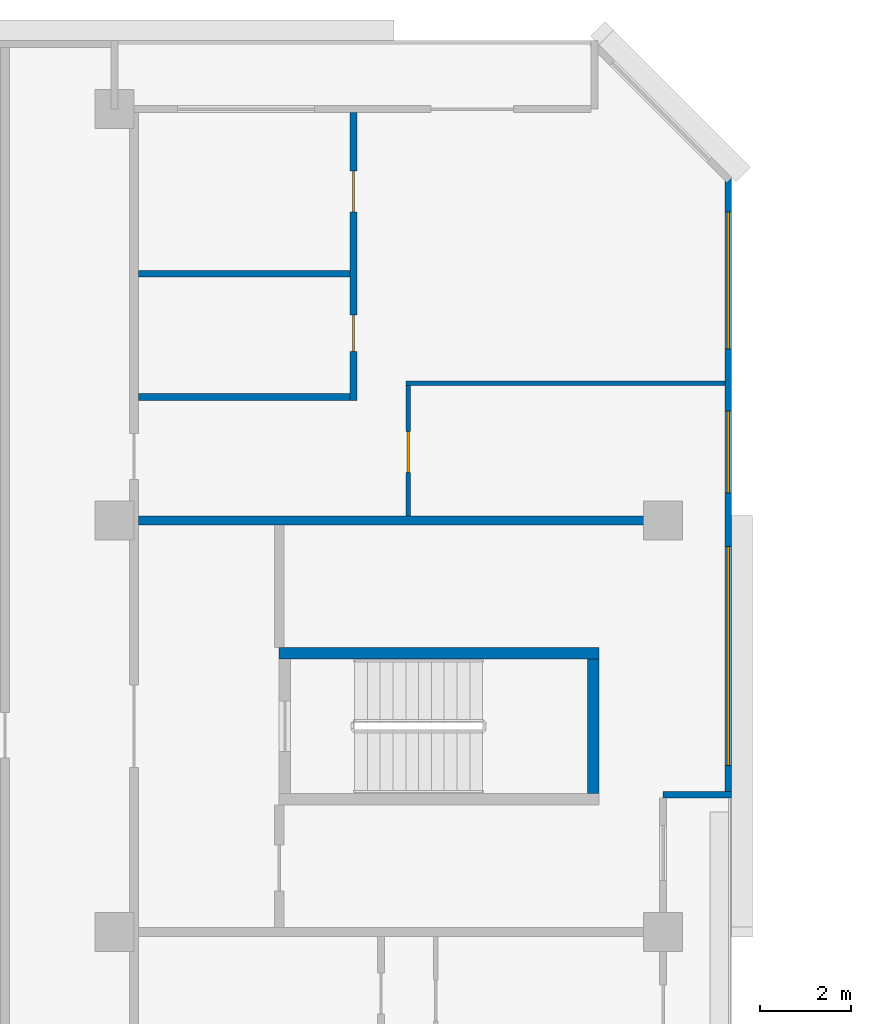
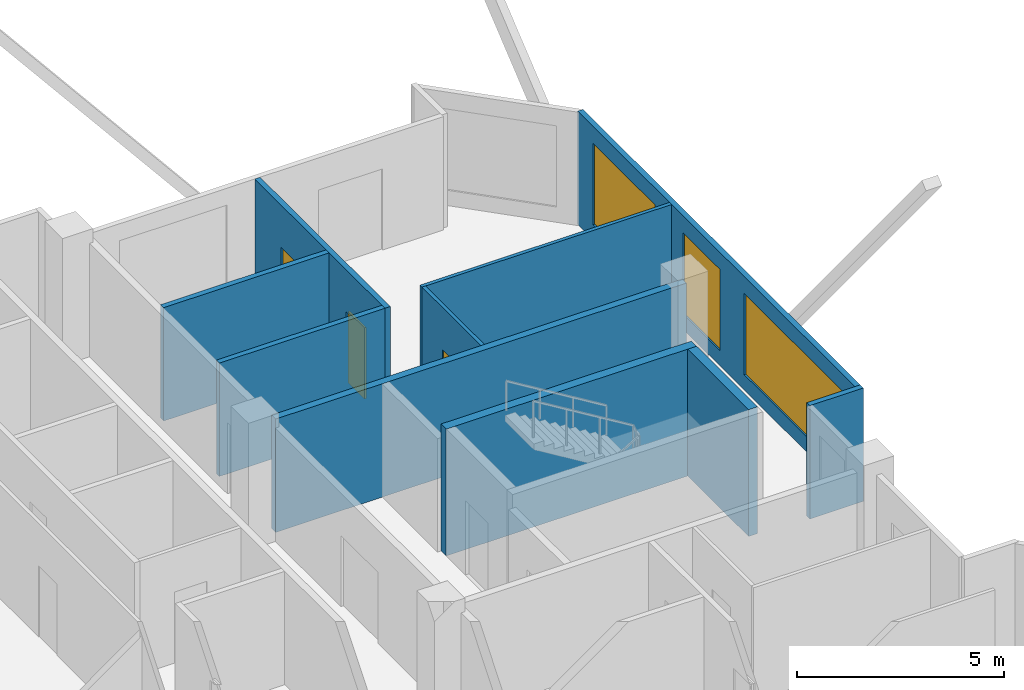
# One storey, part 11 of 15: 10 walls, 3 doors, 3 windows, 6 openings.
"""IFC4 building model written with IfcOpenShell, lengths in metres."""

from ifc_helpers import new_model, si_unit, direction, frame, frame_2d, origin, place, context, subcontext, project, spatial, rectangle, extrude, material, layer, layer_set, type_object, element, fill, save


model = new_model("IFC4")

# Units and contexts
model_context = context("Model", 3, precision=1e-05, world=origin(), true_north=direction((0.0, 1.0)))
body_context = subcontext(model_context, "Body", "Model", "MODEL_VIEW")
ifc_project = project(units=[si_unit("LENGTHUNIT", "METRE"), si_unit("AREAUNIT", "SQUARE_METRE"), si_unit("VOLUMEUNIT", "CUBIC_METRE"), si_unit("PLANEANGLEUNIT", "RADIAN"), si_unit("MASSUNIT", "GRAM", prefix="KILO")], contexts=[model_context])

# Site, building, storey
site_placement = place(None, origin())
site = spatial("IfcSite", under=ifc_project, at=site_placement, CompositionType="ELEMENT")
building_placement = place(site_placement, origin())
building = spatial("IfcBuilding", under=site, at=building_placement, Name="Chenar Terraces", CompositionType="ELEMENT")
storey_placement = place(building_placement, frame((0.0, 0.0, 245.39990234375)))
storey = spatial("IfcBuildingStorey", under=building, at=storey_placement, Name="L58", CompositionType="ELEMENT", Elevation=245.39990234375)

# Walls
ifc_material_1 = material(Name="Concrete C60/75", Category="concrete")
ifc_layer_1 = layer(ifc_material_1, 0.25)
ifc_layer_set_1 = layer_set([ifc_layer_1], Name="Concrete C60/75")
wall_type_1 = type_object("IfcWallType", Name="Core wall 250 Concrete C60/75", PredefinedType="SHEAR", material=ifc_layer_set_1)
wall_1_placement = place(storey_placement, frame((15.60009765625, 51.10009765625, 0.0), z_axis=(0.0, 0.0, 1.0), x_axis=(1.0, 0.0, 0.0)))
element("IfcWall", 1, at=wall_1_placement, inside=storey, type_object=wall_type_1, Name="Core wall ST4_N L58", PredefinedType="SHEAR", context=body_context, shape_type="SweptSolid", body=[
    extrude(rectangle(XDim=7.0, YDim=0.25, at=frame_2d((3.5, 0.0))), origin(), (0.0, 0.0, 1.0), 3.75),
])
wall_2_placement = place(storey_placement, frame((22.47509765625, 48.02490234375, 0.0), z_axis=(0.0, 0.0, 1.0), x_axis=(0.0, 1.0, 0.0)))
element("IfcWall", 2, at=wall_2_placement, inside=storey, type_object=wall_type_1, Name="Core wall ST4_E L58", PredefinedType="SHEAR", context=body_context, shape_type="SweptSolid", body=[
    extrude(rectangle(XDim=2.9501953125, YDim=0.25, at=frame_2d((1.47509765625, 0.0))), origin(), (0.0, 0.0, 1.0), 3.75),
])

# Wall, openings, windows
ifc_material_2 = material(Name="Aluminium framed glazing", Category="aluminium")
ifc_layer_2 = layer(ifc_material_2, 0.14990234375)
ifc_layer_set_2 = layer_set([ifc_layer_2], Name="Aluminium framed glazing")
wall_type_2 = type_object("IfcWallType", Name="Glazed flush facade wall 150", PredefinedType="SOLIDWALL", material=ifc_layer_set_2)
wall_3_placement = place(storey_placement, frame((25.425048828125, 48.074951171875, 0.0), z_axis=(0.0, 0.0, 1.0), x_axis=(0.0, 1.0, 0.0)))
wall_3 = element("IfcWall", 3, at=wall_3_placement, inside=storey, type_object=wall_type_2, Name="Glazed flush facade wall", PredefinedType="SOLIDWALL", context=body_context, shape_type="SweptSolid", body=[
    extrude(rectangle(XDim=13.425048828125, YDim=0.14990234375, at=frame_2d((6.71240234375, 0.0))), origin(), (0.0, 0.0, 1.0), 3.35009765625),
])
opening_1_placement = place(wall_3_placement, frame((0.5625, 0.0, 0.449951171875)))
opening_1 = element("IfcOpeningElement", 4, at=opening_1_placement, cuts=wall_3, Name="Opening W480x240", PredefinedType="OPENING", context=body_context, shape_type="SweptSolid", body=[
    extrude(rectangle(XDim=4.800048828125, YDim=2.39990234375, at=frame_2d((2.39990234375, 1.199951171875))), frame((0.0, 0.0849609375, 0.0), z_axis=(0.0, -1.0, 0.0), x_axis=(1.0, 0.0, 0.0)), (0.0, 0.0, 1.0), 0.169921875),
])
opening_2_placement = place(wall_3_placement, frame((6.52490234375, 0.0, 0.449951171875)))
opening_2 = element("IfcOpeningElement", 5, at=opening_2_placement, cuts=wall_3, Name="Opening W180x240", PredefinedType="OPENING", context=body_context, shape_type="SweptSolid", body=[
    extrude(rectangle(XDim=1.800048828125, YDim=2.39990234375, at=frame_2d((0.89990234375, 1.199951171875))), frame((0.0, 0.0849609375, 0.0), z_axis=(0.0, -1.0, 0.0), x_axis=(1.0, 0.0, 0.0)), (0.0, 0.0, 1.0), 0.169921875),
])
opening_3_placement = place(wall_3_placement, frame((9.675048828125, 0.0, 0.449951171875)))
opening_3 = element("IfcOpeningElement", 6, at=opening_3_placement, cuts=wall_3, Name="Opening W300x240", PredefinedType="OPENING", context=body_context, shape_type="SweptSolid", body=[
    extrude(rectangle(XDim=3.0, YDim=2.39990234375, at=frame_2d((1.5, 1.199951171875))), frame((0.0, 0.0849609375, 0.0), z_axis=(0.0, -1.0, 0.0), x_axis=(1.0, 0.0, 0.0)), (0.0, 0.0, 1.0), 0.169921875),
])
ifc_material_3 = material(Name="Low emissivity double glazing, aluminium frame", Category="aluminium")
window_type_1 = type_object("IfcWindowType", Name="Fixed light 1800 x 2400", PartitioningType="SINGLE_PANEL", PredefinedType="WINDOW", material=ifc_material_3)
window_1_placement = place(opening_2_placement, origin())
window_1 = element("IfcWindow", 7, at=window_1_placement, inside=storey, type_object=window_type_1, Name="Window", OverallHeight=2.39990234375, OverallWidth=1.800048828125, PartitioningType="SINGLE_PANEL", PredefinedType="WINDOW", context=body_context, shape_type="SweptSolid", body=[
    extrude(rectangle(XDim=1.800048828125, YDim=2.39990234375, at=frame_2d((0.89990234375, 1.199951171875))), frame((0.0, 0.030029296875, 0.0), z_axis=(0.0, -1.0, 0.0), x_axis=(1.0, 0.0, 0.0)), (0.0, 0.0, 1.0), 0.06005859375),
])
fill(opening_2, window_1)
ifc_material_4 = material(Name="Low emissivity double glazing, aluminium frame", Category="aluminium")
window_type_2 = type_object("IfcWindowType", Name="Fixed light 3000 x 2400", PartitioningType="SINGLE_PANEL", PredefinedType="WINDOW", material=ifc_material_4)
window_2_placement = place(opening_3_placement, origin())
window_2 = element("IfcWindow", 8, at=window_2_placement, inside=storey, type_object=window_type_2, Name="Window", OverallHeight=2.39990234375, OverallWidth=3.0, PartitioningType="SINGLE_PANEL", PredefinedType="WINDOW", context=body_context, shape_type="SweptSolid", body=[
    extrude(rectangle(XDim=3.0, YDim=2.39990234375, at=frame_2d((1.5, 1.199951171875))), frame((0.0, 0.030029296875, 0.0), z_axis=(0.0, -1.0, 0.0), x_axis=(1.0, 0.0, 0.0)), (0.0, 0.0, 1.0), 0.06005859375),
])
fill(opening_3, window_2)
ifc_material_5 = material(Name="Low emissivity double glazing, aluminium frame", Category="aluminium")
window_type_3 = type_object("IfcWindowType", Name="Fixed light 4800 x 2400", PartitioningType="SINGLE_PANEL", PredefinedType="WINDOW", material=ifc_material_5)
window_3_placement = place(opening_1_placement, origin())
window_3 = element("IfcWindow", 9, at=window_3_placement, inside=storey, type_object=window_type_3, Name="Window", OverallHeight=2.39990234375, OverallWidth=4.800048828125, PartitioningType="SINGLE_PANEL", PredefinedType="WINDOW", context=body_context, shape_type="SweptSolid", body=[
    extrude(rectangle(XDim=4.800048828125, YDim=2.39990234375, at=frame_2d((2.39990234375, 1.199951171875))), frame((0.0, 0.030029296875, 0.0), z_axis=(0.0, -1.0, 0.0), x_axis=(1.0, 0.0, 0.0)), (0.0, 0.0, 1.0), 0.06005859375),
])
fill(opening_1, window_3)

# Wall
ifc_material_6 = material(Name="Gypsum board on steel studs", Category="steel")
ifc_layer_3 = layer(ifc_material_6, 0.10009765625)
ifc_layer_set_3 = layer_set([ifc_layer_3], Name="Gypsum board on steel studs")
wall_type_3 = type_object("IfcWallType", Name="Gypsum partition 100", PredefinedType="PARTITIONING", material=ifc_layer_set_3)
wall_4_placement = place(storey_placement, frame((18.375, 57.0, 0.0), z_axis=(0.0, 0.0, 1.0), x_axis=(1.0, 0.0, 0.0)))
element("IfcWall", 10, at=wall_4_placement, inside=storey, type_object=wall_type_3, Name="Partition L58-050", PredefinedType="PARTITIONING", context=body_context, shape_type="SweptSolid", body=[
    extrude(rectangle(XDim=6.97509765625, YDim=0.10009765625, at=frame_2d((3.487548828125, 0.0))), origin(), (0.0, 0.0, 1.0), 3.35009765625),
])

# Wall, opening, door
wall_5_placement = place(storey_placement, frame((18.425048828125, 54.10009765625, 0.0), z_axis=(0.0, 0.0, 1.0), x_axis=(0.0, 1.0, 0.0)))
wall_5 = element("IfcWall", 11, at=wall_5_placement, inside=storey, type_object=wall_type_3, Name="Partition L58-051", PredefinedType="PARTITIONING", context=body_context, shape_type="SweptSolid", body=[
    extrude(rectangle(XDim=2.849853515625, YDim=0.10009765625, at=frame_2d((1.4248046875, 0.0))), origin(), (0.0, 0.0, 1.0), 3.35009765625),
])
opening_4_placement = place(wall_5_placement, frame((0.949951171875, 0.0, 0.0)))
opening_4 = element("IfcOpeningElement", 12, at=opening_4_placement, cuts=wall_5, Name="Opening DL58-23", PredefinedType="OPENING", context=body_context, shape_type="SweptSolid", body=[
    extrude(rectangle(XDim=0.89990234375, YDim=2.10009765625, at=frame_2d((0.449951171875, 1.050048828125))), frame((0.0, 0.06005859375, 0.0), z_axis=(0.0, -1.0, 0.0), x_axis=(1.0, 0.0, 0.0)), (0.0, 0.0, 1.0), 0.1201171875),
])
ifc_material_7 = material(Name="Veneered timber door leaf", Category="wood")
door_type_1 = type_object("IfcDoorType", Name="Door 900 x 2100", OperationType="SINGLE_SWING_LEFT", PredefinedType="DOOR", material=ifc_material_7)
door_1_placement = place(opening_4_placement, frame((0.89990234375, 0.0, 0.0), z_axis=(0.0, 0.0, 1.0), x_axis=(-1.0, 0.0, 0.0)))
door_1 = element("IfcDoor", 13, at=door_1_placement, inside=storey, type_object=door_type_1, Name="Door DL58-23", OperationType="SINGLE_SWING_LEFT", OverallHeight=2.10009765625, OverallWidth=0.89990234375, PredefinedType="DOOR", context=body_context, shape_type="SweptSolid", body=[
    extrude(rectangle(XDim=0.89990234375, YDim=2.10009765625, at=frame_2d((0.449951171875, 1.050048828125))), frame((0.0, 0.02490234375, 0.0), z_axis=(0.0, -1.0, 0.0), x_axis=(1.0, 0.0, 0.0)), (0.0, 0.0, 1.0), 0.050048828125),
])
fill(opening_4, door_1)

# Walls
ifc_material_8 = material(Name="Terracotta cladding on insulated backing", Category="masonry")
ifc_layer_4 = layer(ifc_material_8, 0.14990234375)
ifc_layer_set_4 = layer_set([ifc_layer_4], Name="Terracotta cladding on insulated backing")
wall_type_4 = type_object("IfcWallType", Name="Loggia return wall 150", PredefinedType="SOLIDWALL", material=ifc_layer_set_4)
wall_6_placement = place(storey_placement, frame((25.5, 48.0, 0.0), z_axis=(0.0, 0.0, 1.0), x_axis=(-1.0, 0.0, 0.0)))
element("IfcWall", 14, at=wall_6_placement, inside=storey, type_object=wall_type_4, Name="Loggia return wall", PredefinedType="SOLIDWALL", context=body_context, shape_type="SweptSolid", body=[
    extrude(rectangle(XDim=1.5, YDim=0.14990234375, at=frame_2d((0.75, 0.0))), origin(), (0.0, 0.0, 1.0), 3.35009765625),
])
ifc_material_9 = material(Name="Twin gypsum board on steel studs with mineral wool", Category="steel")
ifc_layer_5 = layer(ifc_material_9, 0.199951171875)
ifc_layer_set_5 = layer_set([ifc_layer_5], Name="Twin gypsum board on steel studs with mineral wool")
wall_type_5 = type_object("IfcWallType", Name="Unit demising wall 200", PredefinedType="PARTITIONING", material=ifc_layer_set_5)
wall_7_placement = place(storey_placement, frame((12.52490234375, 54.0, 0.0), z_axis=(0.0, 0.0, 1.0), x_axis=(1.0, 0.0, 0.0)))
element("IfcWall", 15, at=wall_7_placement, inside=storey, type_object=wall_type_5, Name="Partition L58-043", PredefinedType="PARTITIONING", context=body_context, shape_type="SweptSolid", body=[
    extrude(rectangle(XDim=11.47509765625, YDim=0.199951171875, at=frame_2d((5.737548828125, 0.0))), origin(), (0.0, 0.0, 1.0), 3.35009765625),
])
ifc_material_10 = material(Name="Moisture-resistant gypsum board on steel studs", Category="steel")
ifc_layer_6 = layer(ifc_material_10, 0.14990234375)
ifc_layer_set_6 = layer_set([ifc_layer_6], Name="Moisture-resistant gypsum board on steel studs")
wall_type_6 = type_object("IfcWallType", Name="Wet-room partition 150", PredefinedType="PARTITIONING", material=ifc_layer_set_6)
for number, where, z_axis, x_axis, name in (
    (16, (12.52490234375, 56.699951171875, 0.0), (0.0, 0.0, 1.0), (1.0, 0.0, 0.0), "Partition L58-044"),
    (17, (12.52490234375, 59.39990234375, 0.0), (0.0, 0.0, 1.0), (1.0, 0.0, 0.0), "Partition L58-045"),
):
    element("IfcWall", number, at=place(storey_placement, frame(where, z_axis=z_axis, x_axis=x_axis)), inside=storey, type_object=wall_type_6, Name=name, PredefinedType="PARTITIONING", context=body_context, shape_type="SweptSolid", body=[
        extrude(rectangle(XDim=4.625, YDim=0.14990234375, at=frame_2d((2.3125, 0.0))), origin(), (0.0, 0.0, 1.0), 3.35009765625),
    ])

# Wall, openings, doors
wall_8_placement = place(storey_placement, frame((17.22509765625, 56.625, 0.0), z_axis=(0.0, 0.0, 1.0), x_axis=(0.0, 1.0, 0.0)))
wall_8 = element("IfcWall", 18, at=wall_8_placement, inside=storey, type_object=wall_type_6, Name="Partition L58-048", PredefinedType="PARTITIONING", context=body_context, shape_type="SweptSolid", body=[
    extrude(rectangle(XDim=6.301025390625, YDim=0.14990234375, at=frame_2d((3.150390625, 0.0))), origin(), (0.0, 0.0, 1.0), 3.35009765625),
])
opening_5_placement = place(wall_8_placement, frame((1.074951171875, 0.0, 0.0)))
opening_5 = element("IfcOpeningElement", 19, at=opening_5_placement, cuts=wall_8, Name="Opening DL58-22", PredefinedType="OPENING", context=body_context, shape_type="SweptSolid", body=[
    extrude(rectangle(XDim=0.800048828125, YDim=2.10009765625, at=frame_2d((0.39990234375, 1.050048828125))), frame((0.0, 0.0849609375, 0.0), z_axis=(0.0, -1.0, 0.0), x_axis=(1.0, 0.0, 0.0)), (0.0, 0.0, 1.0), 0.169921875),
])
opening_6_placement = place(wall_8_placement, frame((4.125, 0.0, 0.0)))
opening_6 = element("IfcOpeningElement", 20, at=opening_6_placement, cuts=wall_8, Name="Opening DL58-24", PredefinedType="OPENING", context=body_context, shape_type="SweptSolid", body=[
    extrude(rectangle(XDim=0.89990234375, YDim=2.10009765625, at=frame_2d((0.449951171875, 1.050048828125))), frame((0.0, 0.0849609375, 0.0), z_axis=(0.0, -1.0, 0.0), x_axis=(1.0, 0.0, 0.0)), (0.0, 0.0, 1.0), 0.169921875),
])
ifc_material_11 = material(Name="Veneered timber door leaf", Category="wood")
door_type_2 = type_object("IfcDoorType", Name="Door 800 x 2100", OperationType="SINGLE_SWING_LEFT", PredefinedType="DOOR", material=ifc_material_11)
door_2_placement = place(opening_5_placement, origin())
door_2 = element("IfcDoor", 21, at=door_2_placement, inside=storey, type_object=door_type_2, Name="Door DL58-22", OperationType="SINGLE_SWING_RIGHT", OverallHeight=2.10009765625, OverallWidth=0.800048828125, PredefinedType="DOOR", context=body_context, shape_type="SweptSolid", body=[
    extrude(rectangle(XDim=0.800048828125, YDim=2.10009765625, at=frame_2d((0.39990234375, 1.050048828125))), frame((0.0, 0.02490234375, 0.0), z_axis=(0.0, -1.0, 0.0), x_axis=(1.0, 0.0, 0.0)), (0.0, 0.0, 1.0), 0.050048828125),
])
fill(opening_5, door_2)
door_3_placement = place(opening_6_placement, origin())
door_3 = element("IfcDoor", 22, at=door_3_placement, inside=storey, type_object=door_type_1, Name="Door DL58-24", OperationType="SINGLE_SWING_LEFT", OverallHeight=2.10009765625, OverallWidth=0.89990234375, PredefinedType="DOOR", context=body_context, shape_type="SweptSolid", body=[
    extrude(rectangle(XDim=0.89990234375, YDim=2.10009765625, at=frame_2d((0.449951171875, 1.050048828125))), frame((0.0, 0.02490234375, 0.0), z_axis=(0.0, -1.0, 0.0), x_axis=(1.0, 0.0, 0.0)), (0.0, 0.0, 1.0), 0.050048828125),
])
fill(opening_6, door_3)

save(model, "model.ifc")
